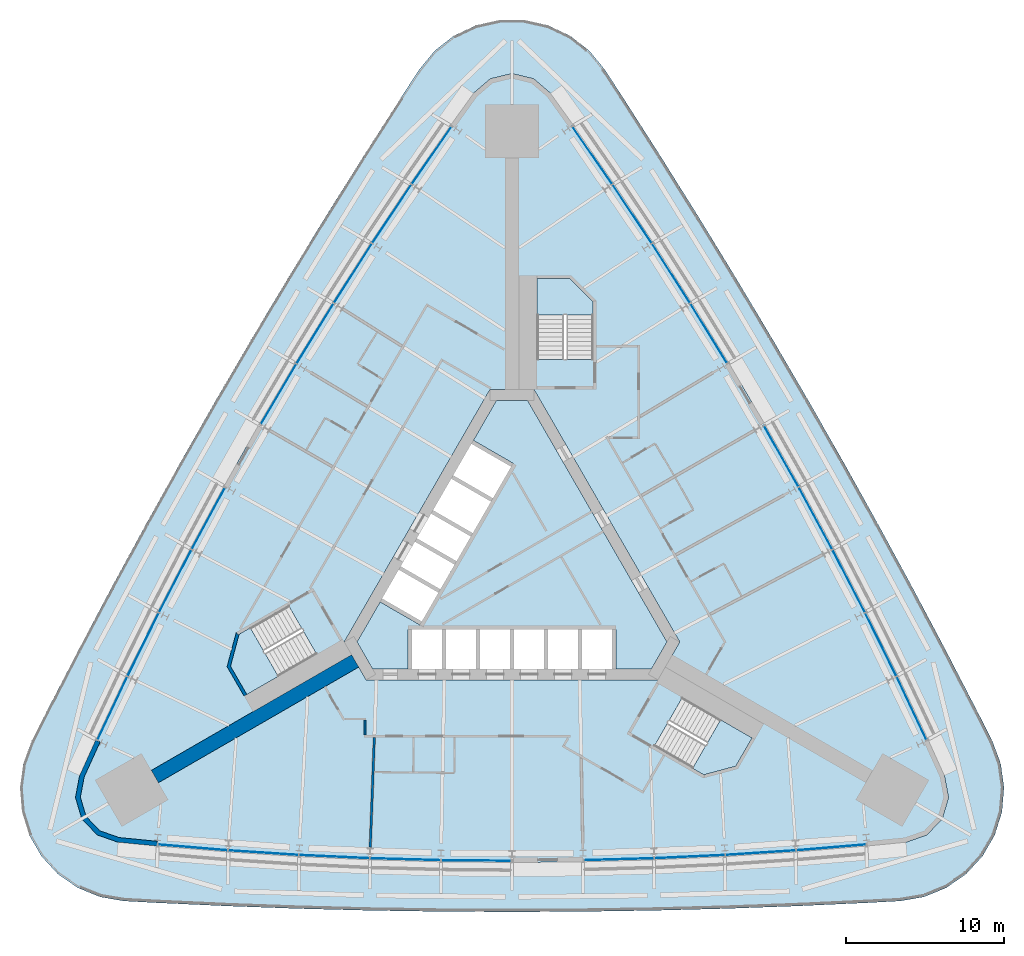
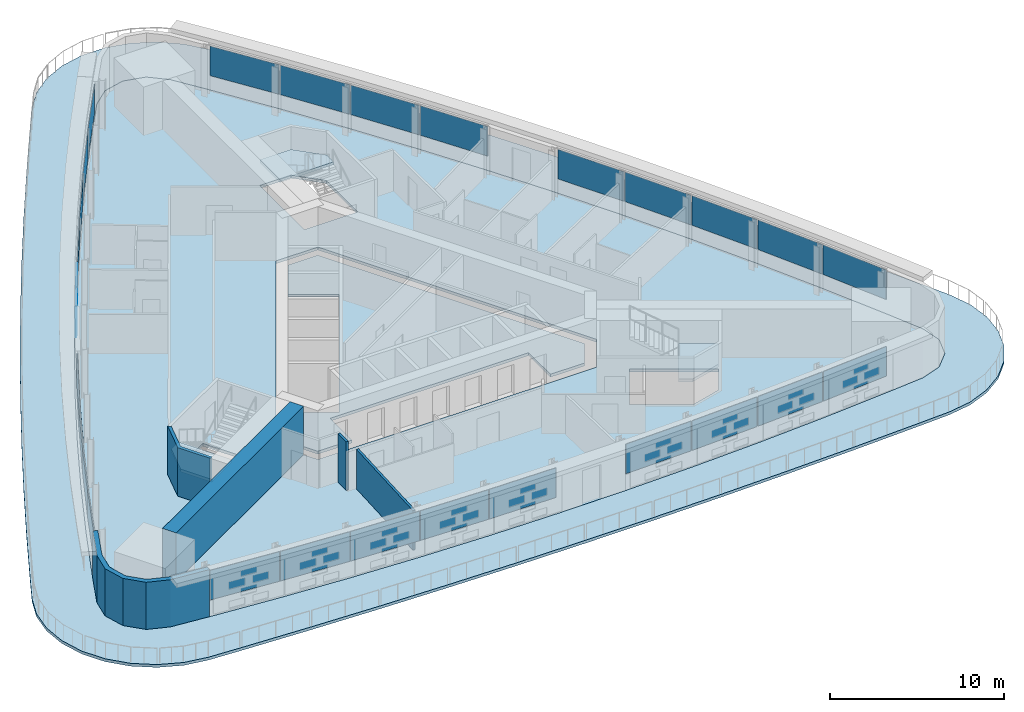
# One storey, part 6 of 14: 27 plates, 6 slabs, 5 walls, 9 elements without a shape of their own.
"""IFC4 building model written with IfcOpenShell, lengths in metres."""

from ifc_helpers import new_model, si_unit, direction, frame, frame_2d, origin, origin_2d, place, context, subcontext, project, spatial, polyline, rectangle, outline, extrude, material, layer, layer_set, type_object, element, aggregate, save


model = new_model("IFC4")

# Units and contexts
model_context = context("Model", 3, precision=1e-05, world=origin(), true_north=direction((0.0, 1.0)))
body_context = subcontext(model_context, "Body", "Model", "MODEL_VIEW")
ifc_project = project(units=[si_unit("LENGTHUNIT", "METRE"), si_unit("AREAUNIT", "SQUARE_METRE"), si_unit("VOLUMEUNIT", "CUBIC_METRE"), si_unit("PLANEANGLEUNIT", "RADIAN"), si_unit("MASSUNIT", "GRAM", prefix="KILO")], contexts=[model_context])

# Site, building, storey
site_placement = place(None, origin())
site = spatial("IfcSite", under=ifc_project, at=site_placement, CompositionType="ELEMENT")
building_placement = place(site_placement, origin())
building = spatial("IfcBuilding", under=site, at=building_placement, Name="Noor Cloister Tower", CompositionType="ELEMENT")
storey_placement = place(building_placement, frame((0.0, 0.0, 24.0)))
storey = spatial("IfcBuildingStorey", under=building, at=storey_placement, Name="L05", CompositionType="ELEMENT", Elevation=24.0)

# Slabs
ifc_material_1 = material(Name="Concrete C40/50", Category="concrete")
ifc_layer_1 = layer(ifc_material_1, 0.199951171875)
ifc_layer_set_1 = layer_set([ifc_layer_1], Name="Core floor slab 200 C40/50")
slab_type_1 = type_object("IfcSlabType", Name="Core floor slab 200 C40/50", PredefinedType="FLOOR", material=ifc_layer_set_1)
slab_1_placement = place(storey_placement, frame((0.0, 0.0, -0.199951171875)))
element("IfcSlab", 1, at=slab_1_placement, inside=storey, type_object=slab_type_1, Name="Core floor L05", PredefinedType="FLOOR", context=body_context, shape_type="SweptSolid", body=[
    extrude(outline(polyline([(-6.574951171875, -6.228271484375), (-6.574951171875, -3.728271484375), (6.574951171875, -3.728271484375), (6.574951171875, -6.228271484375), (8.82470703125, -6.228271484375), (9.80615234375, -4.5283203125), (0.9814453125, 10.75634765625), (-0.9814453125, 10.75634765625), (-2.44384765625, 8.2236328125), (0.067626953125, 6.773681640625), (-5.832275390625, -3.4453125), (-8.34375, -1.995361328125), (-9.80615234375, -4.5283203125), (-8.82470703125, -6.228271484375), (-6.574951171875, -6.228271484375)])), origin(), (0.0, 0.0, 1.0), 0.199951171875),
])
ifc_material_2 = material(Name="Concrete C40/50", Category="concrete")
ifc_layer_2 = layer(ifc_material_2, 0.199951171875)
ifc_layer_set_2 = layer_set([ifc_layer_2], Name="Floor slab 200 C40/50")
slab_type_2 = type_object("IfcSlabType", Name="Floor slab 200 C40/50", PredefinedType="FLOOR", material=ifc_layer_set_2)
slab_2_placement = place(storey_placement, frame((0.0, 0.0, -0.199951171875)))
element("IfcSlab", 2, at=slab_2_placement, inside=storey, type_object=slab_type_2, Name="Floor slab L05", PredefinedType="FLOOR", context=body_context, shape_type="SweptSolid", body=[
    extrude(outline(polyline([(2.43017578125, 30.188232421875), (1.3642578125, 31.100830078125), (0.0, 31.428955078125), (-1.3642578125, 31.100830078125), (-2.43017578125, 30.188232421875), (-3.869873046875, 28.177734375), (-6.43701171875, 24.48193359375), (-8.93505859375, 20.739013671875), (-11.36328125, 16.950439453125), (-13.720947265625, 13.11767578125), (-16.0068359375, 9.24169921875), (-18.220703125, 5.32373046875), (-20.361328125, 1.36572265625), (-22.42822265625, -2.631591796875), (-24.42041015625, -6.66650390625), (-26.337646484375, -10.737548828125), (-27.35888671875, -12.989501953125), (-27.6162109375, -14.368896484375), (-27.21826171875, -15.714599609375), (-26.251953125, -16.73193359375), (-24.9287109375, -17.19873046875), (-22.4677734375, -17.440185546875), (-17.9833984375, -17.8154296875), (-13.492919921875, -18.107421875), (-8.998046875, -18.316162109375), (-4.499755859375, -18.44140625), (0.0, -18.483154296875), (4.499755859375, -18.44140625), (8.998046875, -18.316162109375), (13.492919921875, -18.107421875), (17.9833984375, -17.8154296875), (22.4677734375, -17.440185546875), (24.9287109375, -17.19873046875), (26.251953125, -16.73193359375), (27.21826171875, -15.714599609375), (27.6162109375, -14.368896484375), (27.35888671875, -12.989501953125), (26.337646484375, -10.737548828125), (24.42041015625, -6.66650390625), (22.42822265625, -2.631591796875), (20.361328125, 1.36572265625), (18.220703125, 5.32373046875), (16.0068359375, 9.24169921875), (13.720947265625, 13.11767578125), (11.36328125, 16.950439453125), (8.93505859375, 20.739013671875), (6.43701171875, 24.48193359375), (3.869873046875, 28.177734375), (2.43017578125, 30.188232421875)]), holes=[polyline([(8.999755859375, -11.126220703125), (12.131591796875, -12.934326171875), (14.1572265625, -12.3916015625), (15.19091796875, -10.601318359375), (10.774658203125, -8.0517578125), (8.999755859375, -11.126220703125)]), polyline([(-17.81005859375, -6.064697265625), (-16.776611328125, -7.85498046875), (-12.3603515625, -5.305419921875), (-14.13525390625, -2.23095703125), (-16.662841796875, -3.690185546875), (-17.267333984375, -4.039306640625), (-17.81005859375, -6.064697265625)]), polyline([(-10.6142578125, -4.5283203125), (-9.228759765625, -6.92822265625), (9.228759765625, -6.92822265625), (10.6142578125, -4.5283203125), (1.3857421875, 11.456298828125), (-1.3857421875, 11.456298828125), (-10.6142578125, -4.5283203125)]), polyline([(3.65283203125, 18.456298828125), (1.585693359375, 18.456298828125), (1.585693359375, 13.35693359375), (5.135498046875, 13.35693359375), (5.135498046875, 16.9736328125), (3.65283203125, 18.456298828125)])]), origin(), (0.0, 0.0, 1.0), 0.199951171875),
])

# Curtain wall, plates
ifc_material_3 = material(Name="Aluminium 6063-T6 anodised", Category="aluminium")
curtain_wall_type = type_object("IfcCurtainWallType", Name="Ribbon curtain wall, lower tower CW1", PredefinedType="NOTDEFINED", material=ifc_material_3)
curtain_wall_1_placement = place(storey_placement, origin())
curtain_wall_1 = element("IfcCurtainWall", 3, at=curtain_wall_1_placement, inside=storey, type_object=curtain_wall_type, Name="CW1 L05 NW run 1", PredefinedType="NOTDEFINED")
ifc_material_4 = material(Name="Clear laminated glass 2 x 8 mm", Category="glass")
ifc_layer_3 = layer(ifc_material_4, 0.028076171875)
ifc_layer_set_3 = layer_set([ifc_layer_3], Name="Glass panel CW1")
plate_type = type_object("IfcPlateType", Name="Glass panel CW1", PredefinedType="CURTAIN_PANEL", material=ifc_layer_set_3)
plate_1_placement = place(storey_placement, frame((-5.08251953125, 26.2568359375, 1.08984375), z_axis=(0.0, 0.0, 1.0), x_axis=(-0.570480940369, -0.821310840472, 0.0)))
plate_1 = element("IfcPlate", 4, at=plate_1_placement, type_object=plate_type, Name="CW1 glass panel 1", PredefinedType="CURTAIN_PANEL", context=body_context, shape_type="SweptSolid", body=[
    extrude(rectangle(XDim=4.39892578125, YDim=0.028076171875, at=origin_2d()), origin(), (0.0, 0.0, 1.0), 2.070068359375),
])
plate_2_placement = place(storey_placement, frame((-7.602783203125, 22.554931640625, 1.08984375), z_axis=(0.0, 0.0, 1.0), x_axis=(-0.555145107409, -0.831753515003, 0.0)))
plate_2 = element("IfcPlate", 5, at=plate_2_placement, type_object=plate_type, Name="CW1 glass panel 2", PredefinedType="CURTAIN_PANEL", context=body_context, shape_type="SweptSolid", body=[
    extrude(rectangle(XDim=4.43798828125, YDim=0.028076171875, at=origin_2d()), origin(), (0.0, 0.0, 1.0), 2.070068359375),
])
plate_3_placement = place(storey_placement, frame((-10.06494140625, 18.790771484375, 1.08984375), z_axis=(0.0, 0.0, 1.0), x_axis=(-0.539618172839, -0.841909869013, 0.0)))
plate_3 = element("IfcPlate", 6, at=plate_3_placement, type_object=plate_type, Name="CW1 glass panel 3", PredefinedType="CURTAIN_PANEL", context=body_context, shape_type="SweptSolid", body=[
    extrude(rectangle(XDim=4.43798828125, YDim=0.028076171875, at=origin_2d()), origin(), (0.0, 0.0, 1.0), 2.070068359375),
])
plate_4_placement = place(storey_placement, frame((-12.45703125, 14.981689453125, 1.08984375), z_axis=(0.0, 0.0, 1.0), x_axis=(-0.523905481608, -0.851776406307, 0.0)))
plate_4 = element("IfcPlate", 7, at=plate_4_placement, type_object=plate_type, Name="CW1 glass panel 4", PredefinedType="CURTAIN_PANEL", context=body_context, shape_type="SweptSolid", body=[
    extrude(rectangle(XDim=4.43798828125, YDim=0.028076171875, at=origin_2d()), origin(), (0.0, 0.0, 1.0), 2.070068359375),
])
plate_5_placement = place(storey_placement, frame((-14.767822265625, 11.1455078125, 1.08984375), z_axis=(0.0, 0.0, 1.0), x_axis=(-0.508012442607, -0.861349730456, 0.0)))
plate_5 = element("IfcPlate", 8, at=plate_5_placement, type_object=plate_type, Name="CW1 glass panel 5", PredefinedType="CURTAIN_PANEL", context=body_context, shape_type="SweptSolid", body=[
    extrude(rectangle(XDim=4.39892578125, YDim=0.028076171875, at=origin_2d()), origin(), (0.0, 0.0, 1.0), 2.070068359375),
])
aggregate(curtain_wall_1, [plate_1, plate_2, plate_3, plate_4, plate_5])

curtain_wall_2_placement = place(storey_placement, origin())
curtain_wall_2 = element("IfcCurtainWall", 9, at=curtain_wall_2_placement, inside=storey, type_object=curtain_wall_type, Name="CW1 L05 NW run 2", PredefinedType="NOTDEFINED")
plate_6_placement = place(storey_placement, frame((-19.212158203125, 3.280029296875, 1.08984375), z_axis=(0.0, 0.0, 1.0), x_axis=(-0.475707265402, -0.879603659408, 0.0)))
plate_6 = element("IfcPlate", 10, at=plate_6_placement, type_object=plate_type, Name="CW1 glass panel 1", PredefinedType="CURTAIN_PANEL", context=body_context, shape_type="SweptSolid", body=[
    extrude(rectangle(XDim=4.39892578125, YDim=0.028076171875, at=origin_2d()), origin(), (0.0, 0.0, 1.0), 2.070068359375),
])
plate_7_placement = place(storey_placement, frame((-21.305908203125, -0.678955078125, 1.08984375), z_axis=(0.0, 0.0, 1.0), x_axis=(-0.459306247842, -0.888277980529, 0.0)))
plate_7 = element("IfcPlate", 11, at=plate_7_placement, type_object=plate_type, Name="CW1 glass panel 2", PredefinedType="CURTAIN_PANEL", context=body_context, shape_type="SweptSolid", body=[
    extrude(rectangle(XDim=4.43798828125, YDim=0.028076171875, at=origin_2d()), origin(), (0.0, 0.0, 1.0), 2.070068359375),
])
plate_8_placement = place(storey_placement, frame((-23.334716796875, -4.693359375, 1.08984375), z_axis=(0.0, 0.0, 1.0), x_axis=(-0.442747119975, -0.896646523305, 0.0)))
plate_8 = element("IfcPlate", 12, at=plate_8_placement, type_object=plate_type, Name="CW1 glass panel 3", PredefinedType="CURTAIN_PANEL", context=body_context, shape_type="SweptSolid", body=[
    extrude(rectangle(XDim=4.43798828125, YDim=0.028076171875, at=origin_2d()), origin(), (0.0, 0.0, 1.0), 2.070068359375),
])
plate_9_placement = place(storey_placement, frame((-25.2802734375, -8.726806640625, 1.08984375), z_axis=(0.0, 0.0, 1.0), x_axis=(-0.426035582068, -0.90470640697, 0.0)))
plate_9 = element("IfcPlate", 13, at=plate_9_placement, type_object=plate_type, Name="CW1 glass panel 4", PredefinedType="CURTAIN_PANEL", context=body_context, shape_type="SweptSolid", body=[
    extrude(rectangle(XDim=4.39892578125, YDim=0.028076171875, at=origin_2d()), origin(), (0.0, 0.0, 1.0), 2.070068359375),
])
aggregate(curtain_wall_2, [plate_6, plate_7, plate_8, plate_9])

curtain_wall_3_placement = place(storey_placement, origin())
curtain_wall_3 = element("IfcCurtainWall", 14, at=curtain_wall_3_placement, inside=storey, type_object=curtain_wall_type, Name="CW1 L05 S run 4", PredefinedType="NOTDEFINED")
plate_10_placement = place(storey_placement, frame((-20.19775390625, -17.52978515625, 1.08984375), z_axis=(0.0, 0.0, 1.0), x_axis=(0.996516522436, -0.083395566498, 0.0)))
plate_10 = element("IfcPlate", 15, at=plate_10_placement, type_object=plate_type, Name="CW1 glass panel 1", PredefinedType="CURTAIN_PANEL", context=body_context, shape_type="SweptSolid", body=[
    extrude(rectangle(XDim=4.39892578125, YDim=0.028076171875, at=origin_2d()), origin(), (0.0, 0.0, 1.0), 2.070068359375),
])
plate_11_placement = place(storey_placement, frame((-15.731689453125, -17.86181640625, 1.08984375), z_axis=(0.0, 0.0, 1.0), x_axis=(0.997892227384, -0.064893008302, 0.0)))
plate_11 = element("IfcPlate", 16, at=plate_11_placement, type_object=plate_type, Name="CW1 glass panel 2", PredefinedType="CURTAIN_PANEL", context=body_context, shape_type="SweptSolid", body=[
    extrude(rectangle(XDim=4.43798828125, YDim=0.028076171875, at=origin_2d()), origin(), (0.0, 0.0, 1.0), 2.070068359375),
])
plate_12_placement = place(storey_placement, frame((-11.240966796875, -18.112060546875, 1.08984375), z_axis=(0.0, 0.0, 1.0), x_axis=(0.998924420682, -0.046368111516, 0.0)))
plate_12 = element("IfcPlate", 17, at=plate_12_placement, type_object=plate_type, Name="CW1 glass panel 3", PredefinedType="CURTAIN_PANEL", context=body_context, shape_type="SweptSolid", body=[
    extrude(rectangle(XDim=4.43798828125, YDim=0.028076171875, at=origin_2d()), origin(), (0.0, 0.0, 1.0), 2.070068359375),
])
plate_13_placement = place(storey_placement, frame((-6.74609375, -18.27880859375, 1.08984375), z_axis=(0.0, 0.0, 1.0), x_axis=(0.99961274701, -0.027827253101, 0.0)))
plate_13 = element("IfcPlate", 18, at=plate_13_placement, type_object=plate_type, Name="CW1 glass panel 4", PredefinedType="CURTAIN_PANEL", context=body_context, shape_type="SweptSolid", body=[
    extrude(rectangle(XDim=4.43798828125, YDim=0.028076171875, at=origin_2d()), origin(), (0.0, 0.0, 1.0), 2.070068359375),
])
plate_14_placement = place(storey_placement, frame((-2.2685546875, -18.362060546875, 1.08984375), z_axis=(0.0, 0.0, 1.0), x_axis=(0.999956969421, -0.009276815509, 0.0)))
plate_14 = element("IfcPlate", 19, at=plate_14_placement, type_object=plate_type, Name="CW1 glass panel 5", PredefinedType="CURTAIN_PANEL", context=body_context, shape_type="SweptSolid", body=[
    extrude(rectangle(XDim=4.39892578125, YDim=0.028076171875, at=origin_2d()), origin(), (0.0, 0.0, 1.0), 2.070068359375),
])
aggregate(curtain_wall_3, [plate_10, plate_11, plate_12, plate_13, plate_14])

curtain_wall_4_placement = place(storey_placement, origin())
curtain_wall_4 = element("IfcCurtainWall", 20, at=curtain_wall_4_placement, inside=storey, type_object=curtain_wall_type, Name="CW1 L05 S run 5", PredefinedType="NOTDEFINED")
plate_15_placement = place(storey_placement, frame((6.765625, -18.2783203125, 1.08984375), z_axis=(0.0, 0.0, 1.0), x_axis=(0.99961274701, 0.027827253101, 0.0)))
plate_15 = element("IfcPlate", 21, at=plate_15_placement, type_object=plate_type, Name="CW1 glass panel 1", PredefinedType="CURTAIN_PANEL", context=body_context, shape_type="SweptSolid", body=[
    extrude(rectangle(XDim=4.39892578125, YDim=0.028076171875, at=origin_2d()), origin(), (0.0, 0.0, 1.0), 2.070068359375),
])
plate_16_placement = place(storey_placement, frame((11.240966796875, -18.112060546875, 1.08984375), z_axis=(0.0, 0.0, 1.0), x_axis=(0.998924420682, 0.046368111516, 0.0)))
plate_16 = element("IfcPlate", 22, at=plate_16_placement, type_object=plate_type, Name="CW1 glass panel 2", PredefinedType="CURTAIN_PANEL", context=body_context, shape_type="SweptSolid", body=[
    extrude(rectangle(XDim=4.43798828125, YDim=0.028076171875, at=origin_2d()), origin(), (0.0, 0.0, 1.0), 2.070068359375),
])
plate_17_placement = place(storey_placement, frame((15.731689453125, -17.86181640625, 1.08984375), z_axis=(0.0, 0.0, 1.0), x_axis=(0.997892227384, 0.064893008302, 0.0)))
plate_17 = element("IfcPlate", 23, at=plate_17_placement, type_object=plate_type, Name="CW1 glass panel 3", PredefinedType="CURTAIN_PANEL", context=body_context, shape_type="SweptSolid", body=[
    extrude(rectangle(XDim=4.43798828125, YDim=0.028076171875, at=origin_2d()), origin(), (0.0, 0.0, 1.0), 2.070068359375),
])
plate_18_placement = place(storey_placement, frame((20.19775390625, -17.52978515625, 1.08984375), z_axis=(0.0, 0.0, 1.0), x_axis=(0.996516522436, 0.083395566498, 0.0)))
plate_18 = element("IfcPlate", 24, at=plate_18_placement, type_object=plate_type, Name="CW1 glass panel 4", PredefinedType="CURTAIN_PANEL", context=body_context, shape_type="SweptSolid", body=[
    extrude(rectangle(XDim=4.39892578125, YDim=0.028076171875, at=origin_2d()), origin(), (0.0, 0.0, 1.0), 2.070068359375),
])
aggregate(curtain_wall_4, [plate_15, plate_16, plate_17, plate_18])

curtain_wall_5_placement = place(storey_placement, origin())
curtain_wall_5 = element("IfcCurtainWall", 25, at=curtain_wall_5_placement, inside=storey, type_object=curtain_wall_type, Name="CW1 L05 NE run 7", PredefinedType="NOTDEFINED")
plate_19_placement = place(storey_placement, frame((25.2802734375, -8.726806640625, 1.08984375), z_axis=(0.0, 0.0, 1.0), x_axis=(-0.426035582068, 0.90470640697, 0.0)))
plate_19 = element("IfcPlate", 26, at=plate_19_placement, type_object=plate_type, Name="CW1 glass panel 1", PredefinedType="CURTAIN_PANEL", context=body_context, shape_type="SweptSolid", body=[
    extrude(rectangle(XDim=4.39892578125, YDim=0.028076171875, at=origin_2d()), origin(), (0.0, 0.0, 1.0), 2.070068359375),
])
plate_20_placement = place(storey_placement, frame((23.334716796875, -4.693359375, 1.08984375), z_axis=(0.0, 0.0, 1.0), x_axis=(-0.442747119975, 0.896646523305, 0.0)))
plate_20 = element("IfcPlate", 27, at=plate_20_placement, type_object=plate_type, Name="CW1 glass panel 2", PredefinedType="CURTAIN_PANEL", context=body_context, shape_type="SweptSolid", body=[
    extrude(rectangle(XDim=4.43798828125, YDim=0.028076171875, at=origin_2d()), origin(), (0.0, 0.0, 1.0), 2.070068359375),
])
plate_21_placement = place(storey_placement, frame((21.305908203125, -0.678955078125, 1.08984375), z_axis=(0.0, 0.0, 1.0), x_axis=(-0.459306247842, 0.888277980529, 0.0)))
plate_21 = element("IfcPlate", 28, at=plate_21_placement, type_object=plate_type, Name="CW1 glass panel 3", PredefinedType="CURTAIN_PANEL", context=body_context, shape_type="SweptSolid", body=[
    extrude(rectangle(XDim=4.43798828125, YDim=0.028076171875, at=origin_2d()), origin(), (0.0, 0.0, 1.0), 2.070068359375),
])
plate_22_placement = place(storey_placement, frame((19.202880859375, 3.297119140625, 1.08984375), z_axis=(0.0, 0.0, 1.0), x_axis=(-0.475707265402, 0.879603659408, 0.0)))
plate_22 = element("IfcPlate", 29, at=plate_22_placement, type_object=plate_type, Name="CW1 glass panel 4", PredefinedType="CURTAIN_PANEL", context=body_context, shape_type="SweptSolid", body=[
    extrude(rectangle(XDim=4.43798828125, YDim=0.028076171875, at=origin_2d()), origin(), (0.0, 0.0, 1.0), 2.070068359375),
])
plate_23_placement = place(storey_placement, frame((17.036376953125, 7.216552734375, 1.08984375), z_axis=(0.0, 0.0, 1.0), x_axis=(-0.491944526814, 0.870626545964, 0.0)))
plate_23 = element("IfcPlate", 30, at=plate_23_placement, type_object=plate_type, Name="CW1 glass panel 5", PredefinedType="CURTAIN_PANEL", context=body_context, shape_type="SweptSolid", body=[
    extrude(rectangle(XDim=4.39892578125, YDim=0.028076171875, at=origin_2d()), origin(), (0.0, 0.0, 1.0), 2.070068359375),
])
aggregate(curtain_wall_5, [plate_19, plate_20, plate_21, plate_22, plate_23])

curtain_wall_6_placement = place(storey_placement, origin())
curtain_wall_6 = element("IfcCurtainWall", 31, at=curtain_wall_6_placement, inside=storey, type_object=curtain_wall_type, Name="CW1 L05 NE run 8", PredefinedType="NOTDEFINED")
plate_24_placement = place(storey_placement, frame((12.44677734375, 14.998291015625, 1.08984375), z_axis=(0.0, 0.0, 1.0), x_axis=(-0.523905481608, 0.851776406307, 0.0)))
plate_24 = element("IfcPlate", 32, at=plate_24_placement, type_object=plate_type, Name="CW1 glass panel 1", PredefinedType="CURTAIN_PANEL", context=body_context, shape_type="SweptSolid", body=[
    extrude(rectangle(XDim=4.39892578125, YDim=0.028076171875, at=origin_2d()), origin(), (0.0, 0.0, 1.0), 2.070068359375),
])
plate_25_placement = place(storey_placement, frame((10.06494140625, 18.790771484375, 1.08984375), z_axis=(0.0, 0.0, 1.0), x_axis=(-0.539618172839, 0.841909869013, 0.0)))
plate_25 = element("IfcPlate", 33, at=plate_25_placement, type_object=plate_type, Name="CW1 glass panel 2", PredefinedType="CURTAIN_PANEL", context=body_context, shape_type="SweptSolid", body=[
    extrude(rectangle(XDim=4.43798828125, YDim=0.028076171875, at=origin_2d()), origin(), (0.0, 0.0, 1.0), 2.070068359375),
])
plate_26_placement = place(storey_placement, frame((7.602783203125, 22.554931640625, 1.08984375), z_axis=(0.0, 0.0, 1.0), x_axis=(-0.555145107409, 0.831753515003, 0.0)))
plate_26 = element("IfcPlate", 34, at=plate_26_placement, type_object=plate_type, Name="CW1 glass panel 3", PredefinedType="CURTAIN_PANEL", context=body_context, shape_type="SweptSolid", body=[
    extrude(rectangle(XDim=4.43798828125, YDim=0.028076171875, at=origin_2d()), origin(), (0.0, 0.0, 1.0), 2.070068359375),
])
plate_27_placement = place(storey_placement, frame((5.08251953125, 26.2568359375, 1.08984375), z_axis=(0.0, 0.0, 1.0), x_axis=(-0.570480940369, 0.821310840472, 0.0)))
plate_27 = element("IfcPlate", 35, at=plate_27_placement, type_object=plate_type, Name="CW1 glass panel 4", PredefinedType="CURTAIN_PANEL", context=body_context, shape_type="SweptSolid", body=[
    extrude(rectangle(XDim=4.39892578125, YDim=0.028076171875, at=origin_2d()), origin(), (0.0, 0.0, 1.0), 2.070068359375),
])
aggregate(curtain_wall_6, [plate_24, plate_25, plate_26, plate_27])

# Slab
ifc_material_5 = material(Name="Concrete C40/50", Category="concrete")
ifc_layer_4 = layer(ifc_material_5, 0.199951171875)
ifc_layer_set_4 = layer_set([ifc_layer_4], Name="Podium terrace slab 200")
slab_type_3 = type_object("IfcSlabType", Name="Podium terrace slab 200", PredefinedType="FLOOR", material=ifc_layer_set_4)
slab_3_placement = place(storey_placement, frame((0.0, 0.0, -0.199951171875)))
element("IfcSlab", 36, at=slab_3_placement, inside=storey, type_object=slab_type_3, Name="Podium roof terrace slab", PredefinedType="FLOOR", context=body_context, shape_type="SweptSolid", body=[
    extrude(outline(polyline([(5.85693359375, 31.69677734375), (4.877685546875, 32.884033203125), (3.662841796875, 33.828369140625), (2.27099609375, 34.484619140625), (0.769287109375, 34.82080078125), (-0.769287109375, 34.82080078125), (-2.27099609375, 34.484619140625), (-3.662841796875, 33.828369140625), (-4.877685546875, 32.884033203125), (-5.85693359375, 31.69677734375), (-6.96728515625, 29.991943359375), (-9.394775390625, 26.202880859375), (-11.783447265625, 22.38916015625), (-14.1328125, 18.551025390625), (-16.4423828125, 14.689208984375), (-18.71240234375, 10.8037109375), (-20.9423828125, 6.89501953125), (-23.132080078125, 2.963623046875), (-25.28125, -0.98974609375), (-27.389892578125, -4.96533203125), (-29.457275390625, -8.962158203125), (-30.378662109375, -10.7763671875), (-30.917236328125, -12.2177734375), (-31.127685546875, -13.7421875), (-31.0, -15.275634765625), (-30.540283203125, -16.744140625), (-29.77099609375, -18.07666015625), (-28.72900390625, -19.208984375), (-27.46484375, -20.086181640625), (-26.03955078125, -20.666259765625), (-24.52197265625, -20.920654296875), (-22.490234375, -21.02978515625), (-17.994873046875, -21.237548828125), (-13.497802734375, -21.3994140625), (-8.999267578125, -21.514892578125), (-4.5, -21.584228515625), (0.0, -21.607177734375), (4.5, -21.584228515625), (8.999267578125, -21.514892578125), (13.497802734375, -21.3994140625), (17.994873046875, -21.237548828125), (22.490234375, -21.02978515625), (24.52197265625, -20.920654296875), (26.03955078125, -20.666259765625), (27.46484375, -20.086181640625), (28.72900390625, -19.208984375), (29.77099609375, -18.07666015625), (30.540283203125, -16.744140625), (31.0, -15.275634765625), (31.127685546875, -13.7421875), (30.917236328125, -12.2177734375), (30.378662109375, -10.7763671875), (29.457275390625, -8.962158203125), (27.389892578125, -4.96533203125), (25.28125, -0.98974609375), (23.132080078125, 2.963623046875), (20.9423828125, 6.89501953125), (18.71240234375, 10.8037109375), (16.4423828125, 14.689208984375), (14.1328125, 18.551025390625), (11.783447265625, 22.38916015625), (9.394775390625, 26.202880859375), (6.96728515625, 29.991943359375), (5.85693359375, 31.69677734375)]), holes=[polyline([(2.43017578125, 30.188232421875), (1.3642578125, 31.100830078125), (0.0, 31.428955078125), (-1.3642578125, 31.100830078125), (-2.43017578125, 30.188232421875), (-3.869873046875, 28.177734375), (-6.43701171875, 24.48193359375), (-8.93505859375, 20.739013671875), (-11.36328125, 16.950439453125), (-13.720947265625, 13.11767578125), (-16.0068359375, 9.24169921875), (-18.220703125, 5.32373046875), (-20.361328125, 1.36572265625), (-22.42822265625, -2.631591796875), (-24.42041015625, -6.66650390625), (-26.337646484375, -10.737548828125), (-27.35888671875, -12.989501953125), (-27.6162109375, -14.368896484375), (-27.21826171875, -15.714599609375), (-26.251953125, -16.73193359375), (-24.9287109375, -17.19873046875), (-22.4677734375, -17.440185546875), (-17.9833984375, -17.8154296875), (-13.492919921875, -18.107421875), (-8.998046875, -18.316162109375), (-4.499755859375, -18.44140625), (0.0, -18.483154296875), (4.499755859375, -18.44140625), (8.998046875, -18.316162109375), (13.492919921875, -18.107421875), (17.9833984375, -17.8154296875), (22.4677734375, -17.440185546875), (24.9287109375, -17.19873046875), (26.251953125, -16.73193359375), (27.21826171875, -15.714599609375), (27.6162109375, -14.368896484375), (27.35888671875, -12.989501953125), (26.337646484375, -10.737548828125), (24.42041015625, -6.66650390625), (22.42822265625, -2.631591796875), (20.361328125, 1.36572265625), (18.220703125, 5.32373046875), (16.0068359375, 9.24169921875), (13.720947265625, 13.11767578125), (11.36328125, 16.950439453125), (8.93505859375, 20.739013671875), (6.43701171875, 24.48193359375), (3.869873046875, 28.177734375), (2.43017578125, 30.188232421875)])]), origin(), (0.0, 0.0, 1.0), 0.199951171875),
])

# Stair, slab
ifc_material_6 = material(Name="Concrete C40/50", Category="concrete")
stair_type = type_object("IfcStairType", Name="Exit stair 22 risers", PredefinedType="HALF_TURN_STAIR", material=ifc_material_6)
stair_1_placement = place(storey_placement, origin())
stair_1 = element("IfcStair", 37, at=stair_1_placement, inside=storey, type_object=stair_type, Name="Exit stair ST1 L05", PredefinedType="HALF_TURN_STAIR")
ifc_material_7 = material(Name="Concrete C40/50", Category="concrete")
ifc_layer_5 = layer(ifc_material_7, 0.199951171875)
ifc_layer_set_5 = layer_set([ifc_layer_5], Name="Stair landing 200 C40/50")
slab_type_4 = type_object("IfcSlabType", Name="Stair landing 200 C40/50", PredefinedType="LANDING", material=ifc_layer_set_5)
slab_4_placement = place(storey_placement, frame((0.0, 0.0, 1.60009765625)))
slab_4 = element("IfcSlab", 38, at=slab_4_placement, type_object=slab_type_4, Name="ST1 landing 1", PredefinedType="LANDING", context=body_context, shape_type="SweptSolid", body=[
    extrude(outline(polyline([(5.135498046875, 16.15576171875), (5.135498046875, 16.9736328125), (3.65283203125, 18.456298828125), (1.585693359375, 18.456298828125), (1.585693359375, 16.15576171875), (5.135498046875, 16.15576171875)])), origin(), (0.0, 0.0, 1.0), 0.199951171875),
])
aggregate(stair_1, [slab_4])

stair_2_placement = place(storey_placement, origin())
stair_2 = element("IfcStair", 39, at=stair_2_placement, inside=storey, type_object=stair_type, Name="Exit stair ST2 L05", PredefinedType="HALF_TURN_STAIR")
slab_5_placement = place(storey_placement, frame((0.0, 0.0, 1.60009765625)))
slab_5 = element("IfcSlab", 40, at=slab_5_placement, type_object=slab_type_4, Name="ST2 landing 1", PredefinedType="LANDING", context=body_context, shape_type="SweptSolid", body=[
    extrude(outline(polyline([(-16.55908203125, -3.63037109375), (-17.267333984375, -4.039306640625), (-17.81005859375, -6.064697265625), (-16.776611328125, -7.85498046875), (-14.7841796875, -6.70458984375), (-16.55908203125, -3.63037109375)])), origin(), (0.0, 0.0, 1.0), 0.199951171875),
])
aggregate(stair_2, [slab_5])

stair_3_placement = place(storey_placement, origin())
stair_3 = element("IfcStair", 41, at=stair_3_placement, inside=storey, type_object=stair_type, Name="Exit stair ST3 L05", PredefinedType="HALF_TURN_STAIR")
slab_6_placement = place(storey_placement, frame((0.0, 0.0, 1.60009765625)))
slab_6 = element("IfcSlab", 42, at=slab_6_placement, type_object=slab_type_4, Name="ST3 landing 1", PredefinedType="LANDING", context=body_context, shape_type="SweptSolid", body=[
    extrude(outline(polyline([(11.423583984375, -12.525390625), (12.131591796875, -12.934326171875), (14.1572265625, -12.3916015625), (15.19091796875, -10.601318359375), (13.198486328125, -9.451171875), (11.423583984375, -12.525390625)])), origin(), (0.0, 0.0, 1.0), 0.199951171875),
])
aggregate(stair_3, [slab_6])

# Walls
ifc_material_8 = material(Name="Concrete C80/95", Category="concrete")
ifc_layer_6 = layer(ifc_material_8, 0.89990234375)
ifc_layer_set_6 = layer_set([ifc_layer_6], Name="Buttress wall 900 C80/95")
wall_type_1 = type_object("IfcWallType", Name="Buttress wall 900 C80/95", PredefinedType="SHEAR", material=ifc_layer_set_6)
wall_1_placement = place(storey_placement, frame((-9.921630859375, -5.728271484375, -0.199951171875), z_axis=(0.0, 0.0, 1.0), x_axis=(-0.866028046028, -0.499995423472, 0.0)))
element("IfcWall", 43, at=wall_1_placement, inside=storey, type_object=wall_type_1, Name="Buttress wall SW L05", PredefinedType="SHEAR", context=body_context, shape_type="SweptSolid", body=[
    extrude(rectangle(XDim=14.632568359375, YDim=0.89990234375, at=frame_2d((7.31640625, 0.0))), origin(), (0.0, 0.0, 1.0), 3.599853515625),
])
ifc_material_9 = material(Name="Gypsum board partition on steel studs, 150 mm", Category="steel")
ifc_layer_7 = layer(ifc_material_9, 0.14990234375)
ifc_layer_set_7 = layer_set([ifc_layer_7], Name="Flat wall 150")
wall_type_2 = type_object("IfcWallType", Name="Flat wall 150", PredefinedType="PARTITIONING", material=ifc_layer_set_7)
wall_2_placement = place(storey_placement, frame((-9.3037109375, -10.42822265625, 0.0), z_axis=(0.0, 0.0, 1.0), x_axis=(0.0, 1.0, 0.0)))
element("IfcWall", 44, at=wall_2_placement, inside=storey, type_object=wall_type_2, Name="Flat wall 150 L05 015", PredefinedType="PARTITIONING", context=body_context, shape_type="SweptSolid", body=[
    extrude(rectangle(XDim=0.949951171875, YDim=0.14990234375, at=frame_2d((0.47509765625, 0.0))), origin(), (0.0, 0.0, 1.0), 3.39990234375),
])
wall_3_placement = place(storey_placement, frame((-8.96826171875, -17.5166015625, 0.0), z_axis=(0.0, 0.0, 1.0), x_axis=(0.037111842783, 0.999311118284, 0.0)))
element("IfcWall", 45, at=wall_3_placement, inside=storey, type_object=wall_type_2, Name="Flat wall 150 L05 020", PredefinedType="PARTITIONING", context=body_context, shape_type="SweptSolid", body=[
    extrude(rectangle(XDim=6.9404296875, YDim=0.14990234375, at=frame_2d((3.47021484375, 0.0))), origin(), (0.0, 0.0, 1.0), 2.76806640625),
])
ifc_material_10 = material(Name="Limestone", Category="masonry")
ifc_layer_8 = layer(ifc_material_10, 0.300048828125)
ifc_layer_set_8 = layer_set([ifc_layer_8], Name="Limestone cladding 300")
wall_type_3 = type_object("IfcWallType", Name="Limestone cladding 300", PredefinedType="NOTDEFINED", material=ifc_layer_set_8)
wall_4_placement = place(storey_placement, origin())
element("IfcWall", 46, at=wall_4_placement, inside=storey, type_object=wall_type_3, Name="Limestone pier cladding L05 1.1", PredefinedType="NOTDEFINED", context=body_context, shape_type="SweptSolid", body=[
    extrude(outline(polyline([(-26.337646484375, -10.737548828125), (-27.35888671875, -12.989501953125), (-27.6162109375, -14.368896484375), (-27.21826171875, -15.714599609375), (-26.251953125, -16.73193359375), (-24.9287109375, -17.19873046875), (-22.4677734375, -17.440185546875), (-22.4384765625, -17.1416015625), (-24.863037109375, -16.903564453125), (-26.084228515625, -16.47314453125), (-26.951171875, -15.560302734375), (-27.30810546875, -14.35302734375), (-27.070556640625, -13.080322265625), (-26.064453125, -10.861328125), (-26.337646484375, -10.737548828125)])), origin(), (0.0, 0.0, 1.0), 3.300048828125),
])
ifc_material_11 = material(Name="Concrete C80/95", Category="concrete")
wall_type_4 = type_object("IfcWallType", Name="Stair far end wall C80/95", PredefinedType="SHEAR", material=ifc_material_11)
wall_5_placement = place(storey_placement, frame((0.0, 0.0, -0.199951171875)))
element("IfcWall", 47, at=wall_5_placement, inside=storey, type_object=wall_type_4, Name="Stair enclosure wall ST2 L05 far end", PredefinedType="SHEAR", context=body_context, shape_type="SweptSolid", body=[
    extrude(outline(polyline([(-17.439208984375, -3.907470703125), (-18.024658203125, -6.093017578125), (-16.94970703125, -7.955078125), (-16.776611328125, -7.85498046875), (-17.81005859375, -6.064697265625), (-17.267333984375, -4.039306640625), (-17.339111328125, -4.08056640625), (-17.339111328125, -4.08056640625), (-17.339111328125, -4.08056640625), (-17.339111328125, -4.08056640625), (-17.339111328125, -4.08056640625), (-17.339111328125, -4.08056640625), (-17.339111328125, -4.08056640625), (-17.339111328125, -4.08056640625), (-17.339111328125, -4.08056640625), (-17.339111328125, -4.08056640625), (-17.339111328125, -4.08056640625), (-17.339111328125, -4.08056640625), (-17.339111328125, -4.08056640625), (-17.339111328125, -4.08056640625), (-17.339111328125, -4.08056640625), (-17.339111328125, -4.08056640625), (-17.339111328125, -4.08056640625), (-17.439208984375, -3.907470703125)])), origin(), (0.0, 0.0, 1.0), 3.599853515625),
])

save(model, "model.ifc")
